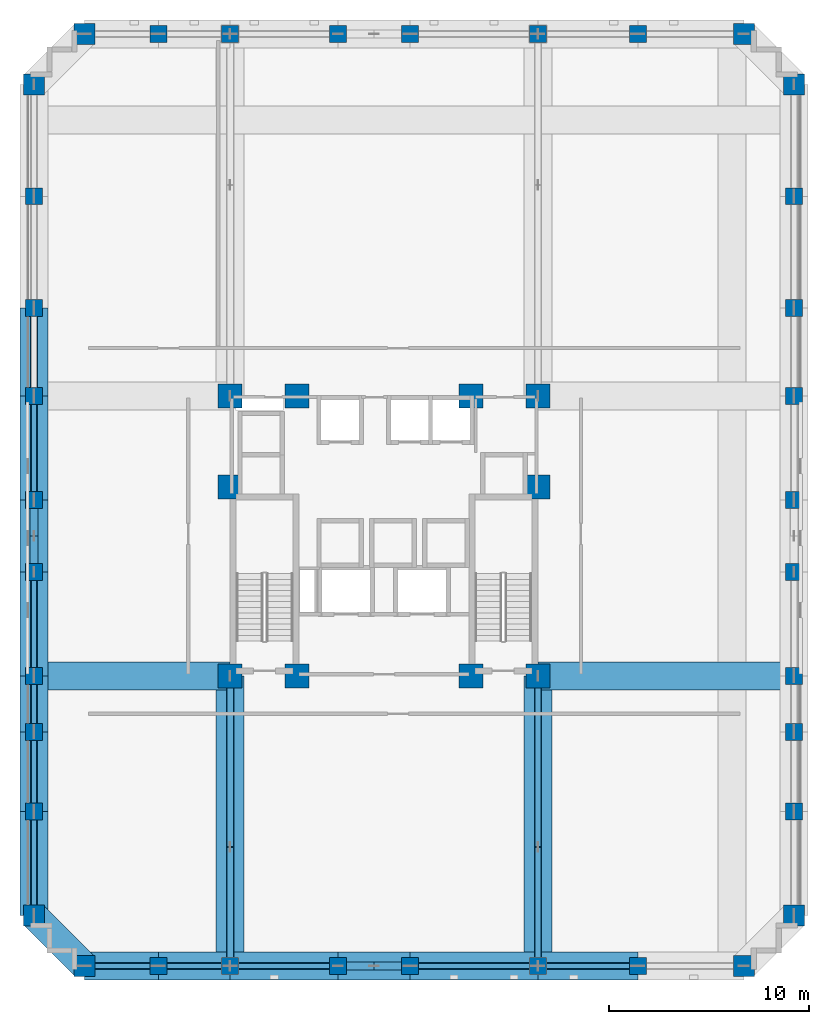
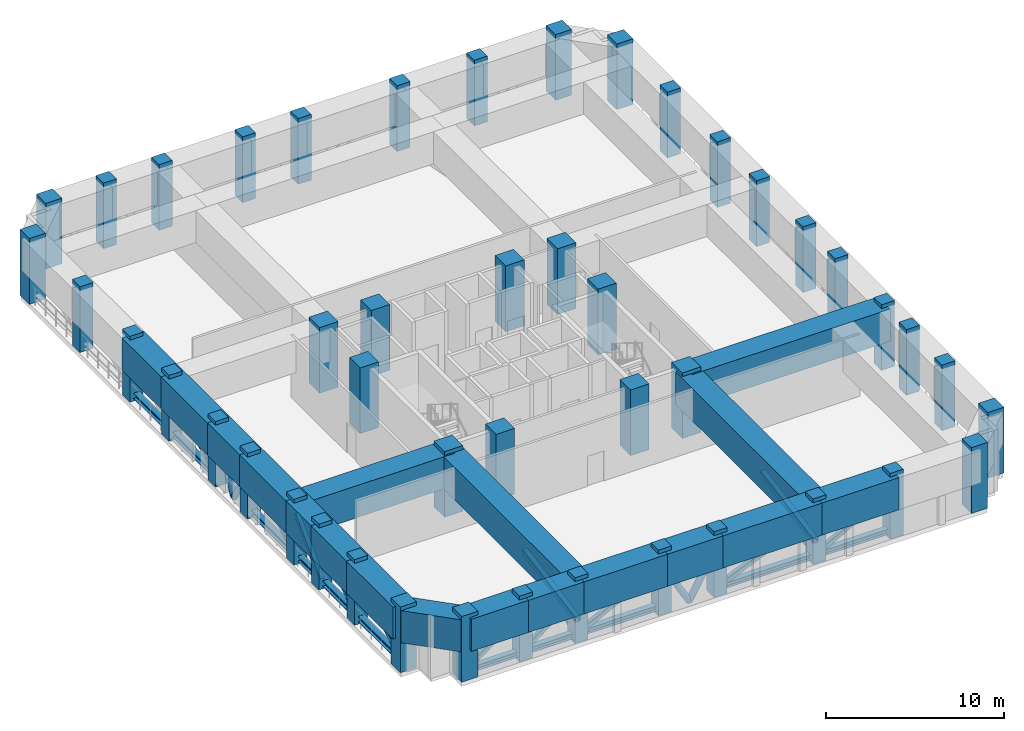
# One storey, part 1 of 11: 46 columns, 29 members, 18 beams.
"""IFC4 building model written with IfcOpenShell, lengths in metres."""

from ifc_helpers import new_model, si_unit, derived_unit, direction, frame, origin, origin_2d, place, context, subcontext, project, spatial, rectangle, hollow_rectangle, hollow_circle, i_section, extrude, material, material_profile, profile_set, type_object, element, save


model = new_model("IFC4")

# Units and contexts
model_context = context("Model", 3, precision=1e-05, world=origin(), true_north=direction((0.0, 1.0)))
body_context = subcontext(model_context, "Body", "Model", "MODEL_VIEW")
ifc_project = project(units=[si_unit("LENGTHUNIT", "METRE"), si_unit("AREAUNIT", "SQUARE_METRE"), si_unit("VOLUMEUNIT", "CUBIC_METRE"), si_unit("PLANEANGLEUNIT", "RADIAN"), si_unit("MASSUNIT", "GRAM", prefix="KILO"), derived_unit("THERMALTRANSMITTANCEUNIT", [(si_unit("MASSUNIT", "GRAM", prefix="KILO"), 1), (si_unit("TIMEUNIT", "SECOND"), -3), (si_unit("THERMODYNAMICTEMPERATUREUNIT", "KELVIN"), -1)])], contexts=[model_context])

# Site, building, storey
site_placement = place(None, origin())
site = spatial("IfcSite", under=ifc_project, at=site_placement, CompositionType="ELEMENT")
building_placement = place(site_placement, origin())
building = spatial("IfcBuilding", under=site, at=building_placement, Name="Korrvale Station Residences", CompositionType="ELEMENT")
storey_placement = place(building_placement, frame((0.0, 0.0, 70.60009765625)))
storey = spatial("IfcBuildingStorey", under=building, at=storey_placement, Name="L19", CompositionType="ELEMENT", Elevation=70.60009765625)

# Columns
ifc_material_1 = material(Name="Concrete C70/85", Category="concrete")
ifc_material_profile_1 = material_profile(ifc_material_1, rectangle(XDim=1.050048828125, YDim=1.050048828125, at=origin_2d()), Name="RC1050x1050")
ifc_profile_set_1 = profile_set([ifc_material_profile_1], Name="Concrete C70/85")
column_type_1 = type_object("IfcColumnType", Name="COL-C-RC1050x1050-C7085", PredefinedType="COLUMN", material=ifc_profile_set_1)
for number, where, z_axis, x_axis, name in (
    (1, (10.5, 0.47998046875, 0.0), (0.0, 0.0, 1.0), (1.0, 0.0, 0.0), "L19 Bundled-Tube South Column 01"),
    (2, (43.5, 0.47998046875, 0.0), (0.0, 0.0, 1.0), (1.0, 0.0, 0.0), "L19 Bundled-Tube South Column 08"),
    (3, (10.5, 47.1201171875, 0.0), (0.0, 0.0, 1.0), (1.0, 0.0, 0.0), "L19 Bundled-Tube North Column 09"),
    (4, (43.5, 47.1201171875, 0.0), (0.0, 0.0, 1.0), (1.0, 0.0, 0.0), "L19 Bundled-Tube North Column 16"),
    (5, (7.97998046875, 3.0, 0.0), (0.0, 0.0, 1.0), (1.0, 0.0, 0.0), "L19 Bundled-Tube West Column 17"),
    (6, (7.97998046875, 44.60009765625, 0.0), (0.0, 0.0, 1.0), (1.0, 0.0, 0.0), "L19 Bundled-Tube West Column 26"),
    (7, (46.02001953125, 3.0, 0.0), (0.0, 0.0, 1.0), (1.0, 0.0, 0.0), "L19 Bundled-Tube East Column 27"),
    (8, (46.02001953125, 44.60009765625, 0.0), (0.0, 0.0, 1.0), (1.0, 0.0, 0.0), "L19 Bundled-Tube East Column 36"),
):
    element("IfcColumn", number, at=place(storey_placement, frame(where, z_axis=z_axis, x_axis=x_axis)), inside=storey, type_object=column_type_1, Name=name, PredefinedType="COLUMN", context=body_context, shape_type="SweptSolid", body=[
        extrude(rectangle(XDim=1.050048828125, YDim=1.050048828125, at=origin_2d()), origin(), (0.0, 0.0, 1.0), 4.5),
    ])
ifc_material_profile_2 = material_profile(ifc_material_1, rectangle(XDim=1.199951171875, YDim=1.199951171875, at=origin_2d()), Name="RC1200x1200")
ifc_profile_set_2 = profile_set([ifc_material_profile_2], Name="Concrete C70/85")
column_type_2 = type_object("IfcColumnType", Name="COL-C-RC1200x1200-C7085", PredefinedType="COLUMN", material=ifc_profile_set_2)
for number, where, z_axis, x_axis, name in (
    (9, (17.800048828125, 15.0, 0.0), (0.0, 0.0, 1.0), (1.0, 0.0, 0.0), "L19 Core Column 01"),
    (10, (21.14990234375, 15.0, 0.0), (0.0, 0.0, 1.0), (1.0, 0.0, 0.0), "L19 Core Column 02"),
    (11, (29.85009765625, 15.0, 0.0), (0.0, 0.0, 1.0), (1.0, 0.0, 0.0), "L19 Core Column 03"),
    (12, (33.199951171875, 15.0, 0.0), (0.0, 0.0, 1.0), (1.0, 0.0, 0.0), "L19 Core Column 04"),
    (13, (17.800048828125, 29.0, 0.0), (0.0, 0.0, 1.0), (1.0, 0.0, 0.0), "L19 Core Column 05"),
    (14, (21.14990234375, 29.0, 0.0), (0.0, 0.0, 1.0), (1.0, 0.0, 0.0), "L19 Core Column 06"),
    (15, (29.85009765625, 29.0, 0.0), (0.0, 0.0, 1.0), (1.0, 0.0, 0.0), "L19 Core Column 07"),
    (16, (33.199951171875, 29.0, 0.0), (0.0, 0.0, 1.0), (1.0, 0.0, 0.0), "L19 Core Column 08"),
    (17, (17.800048828125, 24.449951171875, 0.0), (0.0, 0.0, 1.0), (1.0, 0.0, 0.0), "L19 Core Column 09"),
    (18, (33.199951171875, 24.449951171875, 0.0), (0.0, 0.0, 1.0), (1.0, 0.0, 0.0), "L19 Core Column 10"),
):
    element("IfcColumn", number, at=place(storey_placement, frame(where, z_axis=z_axis, x_axis=x_axis)), inside=storey, type_object=column_type_2, Name=name, PredefinedType="COLUMN", context=body_context, shape_type="SweptSolid", body=[
        extrude(rectangle(XDim=1.199951171875, YDim=1.199951171875, at=origin_2d()), origin(), (0.0, 0.0, 1.0), 4.5),
    ])
ifc_material_profile_3 = material_profile(ifc_material_1, rectangle(XDim=0.85009765625, YDim=0.85009765625, at=origin_2d()), Name="RC850x850")
ifc_profile_set_3 = profile_set([ifc_material_profile_3], Name="Concrete C70/85")
column_type_3 = type_object("IfcColumnType", Name="COL-C-RC850x850-C7085", PredefinedType="COLUMN", material=ifc_profile_set_3)
for number, where, z_axis, x_axis, name in (
    (19, (14.199951171875, 0.47998046875, 0.0), (0.0, 0.0, 1.0), (1.0, 0.0, 0.0), "L19 Bundled-Tube South Column 02"),
    (20, (17.800048828125, 0.47998046875, 0.0), (0.0, 0.0, 1.0), (1.0, 0.0, 0.0), "L19 Bundled-Tube South Column 03"),
    (21, (23.199951171875, 0.47998046875, 0.0), (0.0, 0.0, 1.0), (1.0, 0.0, 0.0), "L19 Bundled-Tube South Column 04"),
    (22, (26.800048828125, 0.47998046875, 0.0), (0.0, 0.0, 1.0), (1.0, 0.0, 0.0), "L19 Bundled-Tube South Column 05"),
    (23, (33.199951171875, 0.47998046875, 0.0), (0.0, 0.0, 1.0), (1.0, 0.0, 0.0), "L19 Bundled-Tube South Column 06"),
    (24, (38.199951171875, 0.47998046875, 0.0), (0.0, 0.0, 1.0), (1.0, 0.0, 0.0), "L19 Bundled-Tube South Column 07"),
    (25, (14.199951171875, 47.1201171875, 0.0), (0.0, 0.0, 1.0), (1.0, 0.0, 0.0), "L19 Bundled-Tube North Column 10"),
    (26, (17.800048828125, 47.1201171875, 0.0), (0.0, 0.0, 1.0), (1.0, 0.0, 0.0), "L19 Bundled-Tube North Column 11"),
    (27, (23.199951171875, 47.1201171875, 0.0), (0.0, 0.0, 1.0), (1.0, 0.0, 0.0), "L19 Bundled-Tube North Column 12"),
    (28, (26.800048828125, 47.1201171875, 0.0), (0.0, 0.0, 1.0), (1.0, 0.0, 0.0), "L19 Bundled-Tube North Column 13"),
    (29, (33.199951171875, 47.1201171875, 0.0), (0.0, 0.0, 1.0), (1.0, 0.0, 0.0), "L19 Bundled-Tube North Column 14"),
    (30, (38.199951171875, 47.1201171875, 0.0), (0.0, 0.0, 1.0), (1.0, 0.0, 0.0), "L19 Bundled-Tube North Column 15"),
    (31, (7.97998046875, 8.199951171875, 0.0), (0.0, 0.0, 1.0), (1.0, 0.0, 0.0), "L19 Bundled-Tube West Column 18"),
    (32, (7.97998046875, 12.199951171875, 0.0), (0.0, 0.0, 1.0), (1.0, 0.0, 0.0), "L19 Bundled-Tube West Column 19"),
    (33, (7.97998046875, 15.0, 0.0), (0.0, 0.0, 1.0), (1.0, 0.0, 0.0), "L19 Bundled-Tube West Column 20"),
    (34, (7.97998046875, 20.199951171875, 0.0), (0.0, 0.0, 1.0), (1.0, 0.0, 0.0), "L19 Bundled-Tube West Column 21"),
    (35, (7.97998046875, 23.800048828125, 0.0), (0.0, 0.0, 1.0), (1.0, 0.0, 0.0), "L19 Bundled-Tube West Column 22"),
    (36, (7.97998046875, 29.0, 0.0), (0.0, 0.0, 1.0), (1.0, 0.0, 0.0), "L19 Bundled-Tube West Column 23"),
    (37, (7.97998046875, 33.39990234375, 0.0), (0.0, 0.0, 1.0), (1.0, 0.0, 0.0), "L19 Bundled-Tube West Column 24"),
    (38, (7.97998046875, 39.0, 0.0), (0.0, 0.0, 1.0), (1.0, 0.0, 0.0), "L19 Bundled-Tube West Column 25"),
    (39, (46.02001953125, 8.199951171875, 0.0), (0.0, 0.0, 1.0), (1.0, 0.0, 0.0), "L19 Bundled-Tube East Column 28"),
    (40, (46.02001953125, 12.199951171875, 0.0), (0.0, 0.0, 1.0), (1.0, 0.0, 0.0), "L19 Bundled-Tube East Column 29"),
    (41, (46.02001953125, 15.0, 0.0), (0.0, 0.0, 1.0), (1.0, 0.0, 0.0), "L19 Bundled-Tube East Column 30"),
    (42, (46.02001953125, 20.199951171875, 0.0), (0.0, 0.0, 1.0), (1.0, 0.0, 0.0), "L19 Bundled-Tube East Column 31"),
    (43, (46.02001953125, 23.800048828125, 0.0), (0.0, 0.0, 1.0), (1.0, 0.0, 0.0), "L19 Bundled-Tube East Column 32"),
    (44, (46.02001953125, 29.0, 0.0), (0.0, 0.0, 1.0), (1.0, 0.0, 0.0), "L19 Bundled-Tube East Column 33"),
    (45, (46.02001953125, 33.39990234375, 0.0), (0.0, 0.0, 1.0), (1.0, 0.0, 0.0), "L19 Bundled-Tube East Column 34"),
    (46, (46.02001953125, 39.0, 0.0), (0.0, 0.0, 1.0), (1.0, 0.0, 0.0), "L19 Bundled-Tube East Column 35"),
):
    element("IfcColumn", number, at=place(storey_placement, frame(where, z_axis=z_axis, x_axis=x_axis)), inside=storey, type_object=column_type_3, Name=name, PredefinedType="COLUMN", context=body_context, shape_type="SweptSolid", body=[
        extrude(rectangle(XDim=0.85009765625, YDim=0.85009765625, at=origin_2d()), origin(), (0.0, 0.0, 1.0), 4.5),
    ])

# Beams
ifc_material_profile_4 = material_profile(ifc_material_1, rectangle(XDim=1.39990234375, YDim=2.199951171875, at=origin_2d()), Name="RCB1400x2200")
ifc_profile_set_4 = profile_set([ifc_material_profile_4], Name="Concrete C70/85")
beam_type_1 = type_object("IfcBeamType", Name="BM-SPB-RCB1400x2200-C7085", PredefinedType="SPANDREL", material=ifc_profile_set_4)
beam_1_placement = place(storey_placement, frame((10.5, 0.47998046875, 3.139892578125), z_axis=(1.0, 0.0, 0.0), x_axis=(0.0, 1.0, 0.0)))
element("IfcBeam", 47, at=beam_1_placement, inside=storey, type_object=beam_type_1, Name="L19 South Tube Spandrel 01", PredefinedType="SPANDREL", context=body_context, shape_type="SweptSolid", body=[
    extrude(rectangle(XDim=1.39990234375, YDim=2.199951171875, at=origin_2d()), origin(), (0.0, 0.0, 1.0), 3.699951171875),
])
beam_2_placement = place(storey_placement, frame((14.199951171875, 0.47998046875, 3.139892578125), z_axis=(1.0, 0.0, 0.0), x_axis=(0.0, 1.0, 0.0)))
element("IfcBeam", 48, at=beam_2_placement, inside=storey, type_object=beam_type_1, Name="L19 South Tube Spandrel 02", PredefinedType="SPANDREL", context=body_context, shape_type="SweptSolid", body=[
    extrude(rectangle(XDim=1.39990234375, YDim=2.199951171875, at=origin_2d()), origin(), (0.0, 0.0, 1.0), 3.60009765625),
])
beam_3_placement = place(storey_placement, frame((17.800048828125, 0.47998046875, 3.139892578125), z_axis=(1.0, 0.0, 0.0), x_axis=(0.0, 1.0, 0.0)))
element("IfcBeam", 49, at=beam_3_placement, inside=storey, type_object=beam_type_1, Name="L19 South Tube Spandrel 03", PredefinedType="SPANDREL", context=body_context, shape_type="SweptSolid", body=[
    extrude(rectangle(XDim=1.39990234375, YDim=2.199951171875, at=origin_2d()), origin(), (0.0, 0.0, 1.0), 5.39990234375),
])
beam_4_placement = place(storey_placement, frame((23.199951171875, 0.47998046875, 3.139892578125), z_axis=(1.0, 0.0, 0.0), x_axis=(0.0, 1.0, 0.0)))
element("IfcBeam", 50, at=beam_4_placement, inside=storey, type_object=beam_type_1, Name="L19 South Tube Spandrel 04", PredefinedType="SPANDREL", context=body_context, shape_type="SweptSolid", body=[
    extrude(rectangle(XDim=1.39990234375, YDim=2.199951171875, at=origin_2d()), origin(), (0.0, 0.0, 1.0), 3.60009765625),
])
beam_5_placement = place(storey_placement, frame((26.800048828125, 0.47998046875, 3.139892578125), z_axis=(1.0, 0.0, 0.0), x_axis=(0.0, 1.0, 0.0)))
element("IfcBeam", 51, at=beam_5_placement, inside=storey, type_object=beam_type_1, Name="L19 South Tube Spandrel 05", PredefinedType="SPANDREL", context=body_context, shape_type="SweptSolid", body=[
    extrude(rectangle(XDim=1.39990234375, YDim=2.199951171875, at=origin_2d()), origin(), (0.0, 0.0, 1.0), 6.39990234375),
])
beam_6_placement = place(storey_placement, frame((33.199951171875, 0.47998046875, 3.139892578125), z_axis=(1.0, 0.0, 0.0), x_axis=(0.0, 1.0, 0.0)))
element("IfcBeam", 52, at=beam_6_placement, inside=storey, type_object=beam_type_1, Name="L19 South Tube Spandrel 06", PredefinedType="SPANDREL", context=body_context, shape_type="SweptSolid", body=[
    extrude(rectangle(XDim=1.39990234375, YDim=2.199951171875, at=origin_2d()), origin(), (0.0, 0.0, 1.0), 5.0),
])
beam_7_placement = place(storey_placement, frame((7.97998046875, 3.0, 3.139892578125), z_axis=(0.0, 1.0, 0.0), x_axis=(-1.0, 0.0, 0.0)))
element("IfcBeam", 53, at=beam_7_placement, inside=storey, type_object=beam_type_1, Name="L19 West Tube Spandrel 15", PredefinedType="SPANDREL", context=body_context, shape_type="SweptSolid", body=[
    extrude(rectangle(XDim=1.39990234375, YDim=2.199951171875, at=origin_2d()), origin(), (0.0, 0.0, 1.0), 5.199951171875),
])
beam_8_placement = place(storey_placement, frame((7.97998046875, 8.199951171875, 3.139892578125), z_axis=(0.0, 1.0, 0.0), x_axis=(-1.0, 0.0, 0.0)))
element("IfcBeam", 54, at=beam_8_placement, inside=storey, type_object=beam_type_1, Name="L19 West Tube Spandrel 16", PredefinedType="SPANDREL", context=body_context, shape_type="SweptSolid", body=[
    extrude(rectangle(XDim=1.39990234375, YDim=2.199951171875, at=origin_2d()), origin(), (0.0, 0.0, 1.0), 4.0),
])
beam_9_placement = place(storey_placement, frame((7.97998046875, 12.199951171875, 3.139892578125), z_axis=(0.0, 1.0, 0.0), x_axis=(-1.0, 0.0, 0.0)))
element("IfcBeam", 55, at=beam_9_placement, inside=storey, type_object=beam_type_1, Name="L19 West Tube Spandrel 17", PredefinedType="SPANDREL", context=body_context, shape_type="SweptSolid", body=[
    extrude(rectangle(XDim=1.39990234375, YDim=2.199951171875, at=origin_2d()), origin(), (0.0, 0.0, 1.0), 2.800048828125),
])
beam_10_placement = place(storey_placement, frame((7.97998046875, 15.0, 3.139892578125), z_axis=(0.0, 1.0, 0.0), x_axis=(-1.0, 0.0, 0.0)))
element("IfcBeam", 56, at=beam_10_placement, inside=storey, type_object=beam_type_1, Name="L19 West Tube Spandrel 18", PredefinedType="SPANDREL", context=body_context, shape_type="SweptSolid", body=[
    extrude(rectangle(XDim=1.39990234375, YDim=2.199951171875, at=origin_2d()), origin(), (0.0, 0.0, 1.0), 5.199951171875),
])
beam_11_placement = place(storey_placement, frame((7.97998046875, 20.199951171875, 3.139892578125), z_axis=(0.0, 1.0, 0.0), x_axis=(-1.0, 0.0, 0.0)))
element("IfcBeam", 57, at=beam_11_placement, inside=storey, type_object=beam_type_1, Name="L19 West Tube Spandrel 19", PredefinedType="SPANDREL", context=body_context, shape_type="SweptSolid", body=[
    extrude(rectangle(XDim=1.39990234375, YDim=2.199951171875, at=origin_2d()), origin(), (0.0, 0.0, 1.0), 3.60009765625),
])
beam_12_placement = place(storey_placement, frame((7.97998046875, 23.800048828125, 3.139892578125), z_axis=(0.0, 1.0, 0.0), x_axis=(-1.0, 0.0, 0.0)))
element("IfcBeam", 58, at=beam_12_placement, inside=storey, type_object=beam_type_1, Name="L19 West Tube Spandrel 20", PredefinedType="SPANDREL", context=body_context, shape_type="SweptSolid", body=[
    extrude(rectangle(XDim=1.39990234375, YDim=2.199951171875, at=origin_2d()), origin(), (0.0, 0.0, 1.0), 5.199951171875),
])
beam_13_placement = place(storey_placement, frame((7.97998046875, 29.0, 3.139892578125), z_axis=(0.0, 1.0, 0.0), x_axis=(-1.0, 0.0, 0.0)))
element("IfcBeam", 59, at=beam_13_placement, inside=storey, type_object=beam_type_1, Name="L19 West Tube Spandrel 21", PredefinedType="SPANDREL", context=body_context, shape_type="SweptSolid", body=[
    extrude(rectangle(XDim=1.39990234375, YDim=2.199951171875, at=origin_2d()), origin(), (0.0, 0.0, 1.0), 4.39990234375),
])
beam_14_placement = place(storey_placement, frame((10.5, 0.47998046875, 3.139892578125), z_axis=(-0.707106781187, 0.707106781187, 0.0), x_axis=(-0.707106781187, -0.707106781187, 0.0)))
element("IfcBeam", 60, at=beam_14_placement, inside=storey, type_object=beam_type_1, Name="L19 Serrated Corner Spandrel 33", PredefinedType="SPANDREL", context=body_context, shape_type="SweptSolid", body=[
    extrude(rectangle(XDim=1.39990234375, YDim=2.199951171875, at=origin_2d()), origin(), (0.0, 0.0, 1.0), 3.56396484375),
])
ifc_material_profile_5 = material_profile(ifc_material_1, rectangle(XDim=1.39990234375, YDim=2.199951171875, at=origin_2d()), Name="RCB1400x2200")
ifc_profile_set_5 = profile_set([ifc_material_profile_5], Name="Concrete C70/85")
beam_type_2 = type_object("IfcBeamType", Name="BM-TG-RCB1400x2200-C7085", PredefinedType="USERDEFINED", material=ifc_profile_set_5)
for number, where, z_axis, x_axis, name in (
    (61, (17.800048828125, 0.47998046875, 3.139892578125), (0.0, 1.0, 0.0), (-1.0, 0.0, 0.0), "TG2 L19 Bundled-Tube Transfer Web Girder 01"),
    (62, (33.199951171875, 0.47998046875, 3.139892578125), (0.0, 1.0, 0.0), (-1.0, 0.0, 0.0), "TG2 L19 Bundled-Tube Transfer Web Girder 02"),
):
    element("IfcBeam", number, at=place(storey_placement, frame(where, z_axis=z_axis, x_axis=x_axis)), inside=storey, type_object=beam_type_2, Name=name, ObjectType="TRANSFER GIRDER", PredefinedType="USERDEFINED", context=body_context, shape_type="SweptSolid", body=[
        extrude(rectangle(XDim=1.39990234375, YDim=2.199951171875, at=origin_2d()), origin(), (0.0, 0.0, 1.0), 14.52001953125),
    ])
beam_15_placement = place(storey_placement, frame((7.97998046875, 15.0, 3.139892578125), z_axis=(1.0, 0.0, 0.0), x_axis=(0.0, 1.0, 0.0)))
element("IfcBeam", 63, at=beam_15_placement, inside=storey, type_object=beam_type_2, Name="TG2 L19 Bundled-Tube Transfer Web Girder 05", ObjectType="TRANSFER GIRDER", PredefinedType="USERDEFINED", context=body_context, shape_type="SweptSolid", body=[
    extrude(rectangle(XDim=1.39990234375, YDim=2.199951171875, at=origin_2d()), origin(), (0.0, 0.0, 1.0), 9.820068359375),
])
beam_16_placement = place(storey_placement, frame((33.199951171875, 15.0, 3.139892578125), z_axis=(1.0, 0.0, 0.0), x_axis=(0.0, 1.0, 0.0)))
element("IfcBeam", 64, at=beam_16_placement, inside=storey, type_object=beam_type_2, Name="TG2 L19 Bundled-Tube Transfer Web Girder 06", ObjectType="TRANSFER GIRDER", PredefinedType="USERDEFINED", context=body_context, shape_type="SweptSolid", body=[
    extrude(rectangle(XDim=1.39990234375, YDim=2.199951171875, at=origin_2d()), origin(), (0.0, 0.0, 1.0), 12.820068359375),
])

# Members
ifc_material_2 = material(Name="Steel S355", Category="steel")
ifc_material_profile_6 = material_profile(ifc_material_2, hollow_rectangle(XDim=0.3046875, YDim=0.3046875, WallThickness=0.015869140625, InnerFilletRadius=0.015869140625, OuterFilletRadius=0.03173828125, at=origin_2d()), Name="HSS305x305x16")
ifc_profile_set_6 = profile_set([ifc_material_profile_6], Name="Steel S355")
member_type_1 = type_object("IfcMemberType", Name="MBR-BR-BT-HSS305x305x16", PredefinedType="BRACE", material=ifc_profile_set_6)
member_1_placement = place(storey_placement, frame((10.5, 0.47998046875, 0.349853515625), z_axis=(0.796359605116, 0.0, 0.604823428234), x_axis=(0.0, 1.0, 0.0)))
element("IfcMember", 65, at=member_1_placement, inside=storey, type_object=member_type_1, Name="L19 Belt Truss Web Diagonal 01", PredefinedType="BRACE", context=body_context, shape_type="SweptSolid", body=[
    extrude(hollow_rectangle(XDim=0.3046875, YDim=0.3046875, WallThickness=0.015869140625, InnerFilletRadius=0.015869140625, OuterFilletRadius=0.03173828125, at=origin_2d()), origin(), (0.0, 0.0, 1.0), 4.64599609375),
])
member_2_placement = place(storey_placement, frame((14.199951171875, 0.47998046875, 0.349853515625), z_axis=(0.788291751485, 0.0, 0.615301645164), x_axis=(0.0, 1.0, 0.0)))
element("IfcMember", 66, at=member_2_placement, inside=storey, type_object=member_type_1, Name="L19 Belt Truss Web Diagonal 02", PredefinedType="BRACE", context=body_context, shape_type="SweptSolid", body=[
    extrude(hollow_rectangle(XDim=0.3046875, YDim=0.3046875, WallThickness=0.015869140625, InnerFilletRadius=0.015869140625, OuterFilletRadius=0.03173828125, at=origin_2d()), origin(), (0.0, 0.0, 1.0), 4.56689453125),
])
member_3_placement = place(storey_placement, frame((17.800048828125, 0.47998046875, 0.349853515625), z_axis=(0.887074921812, 0.0, 0.46162547925), x_axis=(0.0, 1.0, 0.0)))
element("IfcMember", 67, at=member_3_placement, inside=storey, type_object=member_type_1, Name="L19 Belt Truss Web Diagonal 03", PredefinedType="BRACE", context=body_context, shape_type="SweptSolid", body=[
    extrude(hollow_rectangle(XDim=0.3046875, YDim=0.3046875, WallThickness=0.015869140625, InnerFilletRadius=0.015869140625, OuterFilletRadius=0.03173828125, at=origin_2d()), origin(), (0.0, 0.0, 1.0), 6.08740234375),
])
member_4_placement = place(storey_placement, frame((26.800048828125, 0.47998046875, 0.349853515625), z_axis=(0.915625841844, 0.0, 0.402031488503), x_axis=(0.0, 1.0, 0.0)))
element("IfcMember", 68, at=member_4_placement, inside=storey, type_object=member_type_1, Name="L19 Belt Truss Web Diagonal 04", PredefinedType="BRACE", context=body_context, shape_type="SweptSolid", body=[
    extrude(hollow_rectangle(XDim=0.3046875, YDim=0.3046875, WallThickness=0.015869140625, InnerFilletRadius=0.015869140625, OuterFilletRadius=0.03173828125, at=origin_2d()), origin(), (0.0, 0.0, 1.0), 6.98974609375),
])
member_5_placement = place(storey_placement, frame((33.199951171875, 0.47998046875, 0.349853515625), z_axis=(0.871757362721, 0.0, 0.489937853756), x_axis=(0.0, 1.0, 0.0)))
element("IfcMember", 69, at=member_5_placement, inside=storey, type_object=member_type_1, Name="L19 Belt Truss Web Diagonal 05", PredefinedType="BRACE", context=body_context, shape_type="SweptSolid", body=[
    extrude(hollow_rectangle(XDim=0.3046875, YDim=0.3046875, WallThickness=0.015869140625, InnerFilletRadius=0.015869140625, OuterFilletRadius=0.03173828125, at=origin_2d()), origin(), (0.0, 0.0, 1.0), 5.735595703125),
])
member_6_placement = place(storey_placement, frame((7.97998046875, 3.0, 0.349853515625), z_axis=(0.0, 0.87975787717, 0.475421999447), x_axis=(-1.0, 0.0, 0.0)))
element("IfcMember", 70, at=member_6_placement, inside=storey, type_object=member_type_1, Name="L19 Belt Truss Web Diagonal 13", PredefinedType="BRACE", context=body_context, shape_type="SweptSolid", body=[
    extrude(hollow_rectangle(XDim=0.3046875, YDim=0.3046875, WallThickness=0.015869140625, InnerFilletRadius=0.015869140625, OuterFilletRadius=0.03173828125, at=origin_2d()), origin(), (0.0, 0.0, 1.0), 5.91064453125),
])
member_7_placement = place(storey_placement, frame((7.97998046875, 8.199951171875, 0.349853515625), z_axis=(0.0, 0.818264077018, 0.574842500396), x_axis=(-1.0, 0.0, 0.0)))
element("IfcMember", 71, at=member_7_placement, inside=storey, type_object=member_type_1, Name="L19 Belt Truss Web Diagonal 14", PredefinedType="BRACE", context=body_context, shape_type="SweptSolid", body=[
    extrude(hollow_rectangle(XDim=0.3046875, YDim=0.3046875, WallThickness=0.015869140625, InnerFilletRadius=0.015869140625, OuterFilletRadius=0.03173828125, at=origin_2d()), origin(), (0.0, 0.0, 1.0), 4.888427734375),
])
member_8_placement = place(storey_placement, frame((7.97998046875, 12.199951171875, 0.349853515625), z_axis=(0.0, 0.705844011024, 0.708367300277), x_axis=(-1.0, 0.0, 0.0)))
element("IfcMember", 72, at=member_8_placement, inside=storey, type_object=member_type_1, Name="L19 Belt Truss Web Diagonal 15", PredefinedType="BRACE", context=body_context, shape_type="SweptSolid", body=[
    extrude(hollow_rectangle(XDim=0.3046875, YDim=0.3046875, WallThickness=0.015869140625, InnerFilletRadius=0.015869140625, OuterFilletRadius=0.03173828125, at=origin_2d()), origin(), (0.0, 0.0, 1.0), 3.967041015625),
])
for number, where, z_axis, x_axis, name in (
    (73, (7.97998046875, 15.0, 0.349853515625), (0.0, 0.87975787717, 0.475421999447), (-1.0, 0.0, 0.0), "L19 Belt Truss Web Diagonal 16"),
    (74, (7.97998046875, 23.800048828125, 0.349853515625), (0.0, 0.87975787717, 0.475421999447), (-1.0, 0.0, 0.0), "L19 Belt Truss Web Diagonal 17"),
):
    element("IfcMember", number, at=place(storey_placement, frame(where, z_axis=z_axis, x_axis=x_axis)), inside=storey, type_object=member_type_1, Name=name, PredefinedType="BRACE", context=body_context, shape_type="SweptSolid", body=[
        extrude(hollow_rectangle(XDim=0.3046875, YDim=0.3046875, WallThickness=0.015869140625, InnerFilletRadius=0.015869140625, OuterFilletRadius=0.03173828125, at=origin_2d()), origin(), (0.0, 0.0, 1.0), 5.91064453125),
    ])
ifc_material_profile_7 = material_profile(ifc_material_2, hollow_circle(Radius=0.203125, WallThickness=0.015869140625, at=origin_2d()), Name="HSS406x16")
ifc_profile_set_7 = profile_set([ifc_material_profile_7], Name="Steel S355")
member_type_2 = type_object("IfcMemberType", Name="MBR-BR-HSS406x16", PredefinedType="BRACE", material=ifc_profile_set_7)
for number, where, z_axis, x_axis, name in (
    (75, (25.0, 0.47998046875, 0.02001953125), (-0.497351620674, 0.0, 0.867549056488), (0.0, -1.0, 0.0), "L19 S Perimeter Tube Wind Brace 1"),
    (76, (25.0, 0.47998046875, 0.02001953125), (0.497351620674, 0.0, 0.867549056488), (0.0, 1.0, 0.0), "L19 S Perimeter Tube Wind Brace 2"),
    (77, (7.97998046875, 22.0, 0.02001953125), (0.0, -0.497351620674, 0.867549056488), (1.0, 0.0, 0.0), "L19 W Perimeter Tube Wind Brace 1"),
    (78, (7.97998046875, 22.0, 0.02001953125), (0.0, 0.497351620674, 0.867549056488), (-1.0, 0.0, 0.0), "L19 W Perimeter Tube Wind Brace 2"),
):
    element("IfcMember", number, at=place(storey_placement, frame(where, z_axis=z_axis, x_axis=x_axis)), inside=storey, type_object=member_type_2, Name=name, PredefinedType="BRACE", context=body_context, shape_type="SweptSolid", body=[
        extrude(hollow_circle(Radius=0.203125, WallThickness=0.015869140625, at=origin_2d()), origin(), (0.0, 0.0, 1.0), 3.619384765625),
    ])
ifc_material_profile_8 = material_profile(ifc_material_2, hollow_rectangle(XDim=0.355712890625, YDim=0.355712890625, WallThickness=0.015869140625, InnerFilletRadius=0.015869140625, OuterFilletRadius=0.03173828125, at=origin_2d()), Name="HSS356x356x16")
ifc_profile_set_8 = profile_set([ifc_material_profile_8], Name="Steel S355")
member_type_3 = type_object("IfcMemberType", Name="MBR-BR-OT-HSS356x356x16", PredefinedType="BRACE", material=ifc_profile_set_8)
member_9_placement = place(storey_placement, frame((17.800048828125, 0.47998046875, 1.25), z_axis=(0.0, 0.984268690163, 0.176678084561), x_axis=(-1.0, 0.0, 0.0)))
element("IfcMember", 79, at=member_9_placement, inside=storey, type_object=member_type_3, Name="L19 Outrigger Truss Diagonal 1A", PredefinedType="BRACE", context=body_context, shape_type="SweptSolid", body=[
    extrude(hollow_rectangle(XDim=0.355712890625, YDim=0.355712890625, WallThickness=0.015869140625, InnerFilletRadius=0.015869140625, OuterFilletRadius=0.03173828125, at=origin_2d()), origin(), (0.0, 0.0, 1.0), 6.05517578125),
])
member_10_placement = place(storey_placement, frame((17.800048828125, 0.47998046875, 0.349853515625), z_axis=(0.0, 0.969983034871, 0.243172597268), x_axis=(-1.0, 0.0, 0.0)))
element("IfcMember", 80, at=member_10_placement, inside=storey, type_object=member_type_3, Name="L19 Outrigger Truss Diagonal 1B", PredefinedType="BRACE", context=body_context, shape_type="SweptSolid", body=[
    extrude(hollow_rectangle(XDim=0.355712890625, YDim=0.355712890625, WallThickness=0.015869140625, InnerFilletRadius=0.015869140625, OuterFilletRadius=0.03173828125, at=origin_2d()), origin(), (0.0, 0.0, 1.0), 14.96923828125),
])
member_11_placement = place(storey_placement, frame((33.199951171875, 0.47998046875, 1.25), z_axis=(0.0, 0.984268690163, 0.176678084561), x_axis=(-1.0, 0.0, 0.0)))
element("IfcMember", 81, at=member_11_placement, inside=storey, type_object=member_type_3, Name="L19 Outrigger Truss Diagonal 2A", PredefinedType="BRACE", context=body_context, shape_type="SweptSolid", body=[
    extrude(hollow_rectangle(XDim=0.355712890625, YDim=0.355712890625, WallThickness=0.015869140625, InnerFilletRadius=0.015869140625, OuterFilletRadius=0.03173828125, at=origin_2d()), origin(), (0.0, 0.0, 1.0), 6.05517578125),
])
member_12_placement = place(storey_placement, frame((33.199951171875, 0.47998046875, 0.349853515625), z_axis=(0.0, 0.969983034871, 0.243172597268), x_axis=(-1.0, 0.0, 0.0)))
element("IfcMember", 82, at=member_12_placement, inside=storey, type_object=member_type_3, Name="L19 Outrigger Truss Diagonal 2B", PredefinedType="BRACE", context=body_context, shape_type="SweptSolid", body=[
    extrude(hollow_rectangle(XDim=0.355712890625, YDim=0.355712890625, WallThickness=0.015869140625, InnerFilletRadius=0.015869140625, OuterFilletRadius=0.03173828125, at=origin_2d()), origin(), (0.0, 0.0, 1.0), 14.96923828125),
])
ifc_material_profile_9 = material_profile(ifc_material_2, i_section(OverallWidth=0.3740234375, OverallDepth=0.3720703125, WebThickness=0.016357421875, FlangeThickness=0.026123046875, FilletRadius=0.014892578125, at=origin_2d()), Name="W360x196")
ifc_profile_set_9 = profile_set([ifc_material_profile_9], Name="Steel S355")
member_type_4 = type_object("IfcMemberType", Name="MBR-CHD-BT-W360x196", PredefinedType="CHORD", material=ifc_profile_set_9)
member_13_placement = place(storey_placement, frame((10.5, 0.47998046875, 0.349853515625), z_axis=(1.0, 0.0, 0.0), x_axis=(0.0, 1.0, 0.0)))
element("IfcMember", 83, at=member_13_placement, inside=storey, type_object=member_type_4, Name="L19 Belt Truss Bottom Chord 01", PredefinedType="CHORD", context=body_context, shape_type="SweptSolid", body=[
    extrude(i_section(OverallWidth=0.3740234375, OverallDepth=0.3720703125, WebThickness=0.016357421875, FlangeThickness=0.026123046875, FilletRadius=0.014892578125, at=origin_2d()), origin(), (0.0, 0.0, 1.0), 3.699951171875),
])
member_14_placement = place(storey_placement, frame((14.199951171875, 0.47998046875, 0.349853515625), z_axis=(1.0, 0.0, 0.0), x_axis=(0.0, 1.0, 0.0)))
element("IfcMember", 84, at=member_14_placement, inside=storey, type_object=member_type_4, Name="L19 Belt Truss Bottom Chord 02", PredefinedType="CHORD", context=body_context, shape_type="SweptSolid", body=[
    extrude(i_section(OverallWidth=0.3740234375, OverallDepth=0.3720703125, WebThickness=0.016357421875, FlangeThickness=0.026123046875, FilletRadius=0.014892578125, at=origin_2d()), origin(), (0.0, 0.0, 1.0), 3.60009765625),
])
member_15_placement = place(storey_placement, frame((17.800048828125, 0.47998046875, 0.349853515625), z_axis=(1.0, 0.0, 0.0), x_axis=(0.0, 1.0, 0.0)))
element("IfcMember", 85, at=member_15_placement, inside=storey, type_object=member_type_4, Name="L19 Belt Truss Bottom Chord 03", PredefinedType="CHORD", context=body_context, shape_type="SweptSolid", body=[
    extrude(i_section(OverallWidth=0.3740234375, OverallDepth=0.3720703125, WebThickness=0.016357421875, FlangeThickness=0.026123046875, FilletRadius=0.014892578125, at=origin_2d()), origin(), (0.0, 0.0, 1.0), 5.39990234375),
])
member_16_placement = place(storey_placement, frame((26.800048828125, 0.47998046875, 0.349853515625), z_axis=(1.0, 0.0, 0.0), x_axis=(0.0, 1.0, 0.0)))
element("IfcMember", 86, at=member_16_placement, inside=storey, type_object=member_type_4, Name="L19 Belt Truss Bottom Chord 04", PredefinedType="CHORD", context=body_context, shape_type="SweptSolid", body=[
    extrude(i_section(OverallWidth=0.3740234375, OverallDepth=0.3720703125, WebThickness=0.016357421875, FlangeThickness=0.026123046875, FilletRadius=0.014892578125, at=origin_2d()), origin(), (0.0, 0.0, 1.0), 6.39990234375),
])
member_17_placement = place(storey_placement, frame((33.199951171875, 0.47998046875, 0.349853515625), z_axis=(1.0, 0.0, 0.0), x_axis=(0.0, 1.0, 0.0)))
element("IfcMember", 87, at=member_17_placement, inside=storey, type_object=member_type_4, Name="L19 Belt Truss Bottom Chord 05", PredefinedType="CHORD", context=body_context, shape_type="SweptSolid", body=[
    extrude(i_section(OverallWidth=0.3740234375, OverallDepth=0.3720703125, WebThickness=0.016357421875, FlangeThickness=0.026123046875, FilletRadius=0.014892578125, at=origin_2d()), origin(), (0.0, 0.0, 1.0), 5.0),
])
member_18_placement = place(storey_placement, frame((7.97998046875, 3.0, 0.349853515625), z_axis=(0.0, 1.0, 0.0), x_axis=(-1.0, 0.0, 0.0)))
element("IfcMember", 88, at=member_18_placement, inside=storey, type_object=member_type_4, Name="L19 Belt Truss Bottom Chord 13", PredefinedType="CHORD", context=body_context, shape_type="SweptSolid", body=[
    extrude(i_section(OverallWidth=0.3740234375, OverallDepth=0.3720703125, WebThickness=0.016357421875, FlangeThickness=0.026123046875, FilletRadius=0.014892578125, at=origin_2d()), origin(), (0.0, 0.0, 1.0), 5.199951171875),
])
member_19_placement = place(storey_placement, frame((7.97998046875, 8.199951171875, 0.349853515625), z_axis=(0.0, 1.0, 0.0), x_axis=(-1.0, 0.0, 0.0)))
element("IfcMember", 89, at=member_19_placement, inside=storey, type_object=member_type_4, Name="L19 Belt Truss Bottom Chord 14", PredefinedType="CHORD", context=body_context, shape_type="SweptSolid", body=[
    extrude(i_section(OverallWidth=0.3740234375, OverallDepth=0.3720703125, WebThickness=0.016357421875, FlangeThickness=0.026123046875, FilletRadius=0.014892578125, at=origin_2d()), origin(), (0.0, 0.0, 1.0), 4.0),
])
member_20_placement = place(storey_placement, frame((7.97998046875, 12.199951171875, 0.349853515625), z_axis=(0.0, 1.0, 0.0), x_axis=(-1.0, 0.0, 0.0)))
element("IfcMember", 90, at=member_20_placement, inside=storey, type_object=member_type_4, Name="L19 Belt Truss Bottom Chord 15", PredefinedType="CHORD", context=body_context, shape_type="SweptSolid", body=[
    extrude(i_section(OverallWidth=0.3740234375, OverallDepth=0.3720703125, WebThickness=0.016357421875, FlangeThickness=0.026123046875, FilletRadius=0.014892578125, at=origin_2d()), origin(), (0.0, 0.0, 1.0), 2.800048828125),
])
for number, where, z_axis, x_axis, name in (
    (91, (7.97998046875, 15.0, 0.349853515625), (0.0, 1.0, 0.0), (-1.0, 0.0, 0.0), "L19 Belt Truss Bottom Chord 16"),
    (92, (7.97998046875, 23.800048828125, 0.349853515625), (0.0, 1.0, 0.0), (-1.0, 0.0, 0.0), "L19 Belt Truss Bottom Chord 17"),
):
    element("IfcMember", number, at=place(storey_placement, frame(where, z_axis=z_axis, x_axis=x_axis)), inside=storey, type_object=member_type_4, Name=name, PredefinedType="CHORD", context=body_context, shape_type="SweptSolid", body=[
        extrude(i_section(OverallWidth=0.3740234375, OverallDepth=0.3720703125, WebThickness=0.016357421875, FlangeThickness=0.026123046875, FilletRadius=0.014892578125, at=origin_2d()), origin(), (0.0, 0.0, 1.0), 5.199951171875),
    ])
member_21_placement = place(storey_placement, frame((7.97998046875, 29.0, 0.349853515625), z_axis=(0.0, 1.0, 0.0), x_axis=(-1.0, 0.0, 0.0)))
element("IfcMember", 93, at=member_21_placement, inside=storey, type_object=member_type_4, Name="L19 Belt Truss Bottom Chord 18", PredefinedType="CHORD", context=body_context, shape_type="SweptSolid", body=[
    extrude(i_section(OverallWidth=0.3740234375, OverallDepth=0.3720703125, WebThickness=0.016357421875, FlangeThickness=0.026123046875, FilletRadius=0.014892578125, at=origin_2d()), origin(), (0.0, 0.0, 1.0), 4.39990234375),
])

save(model, "model.ifc")
